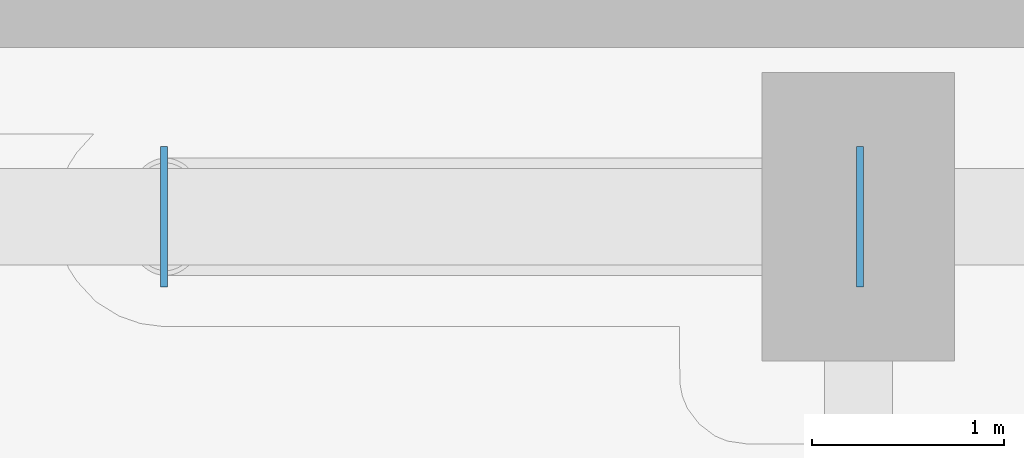
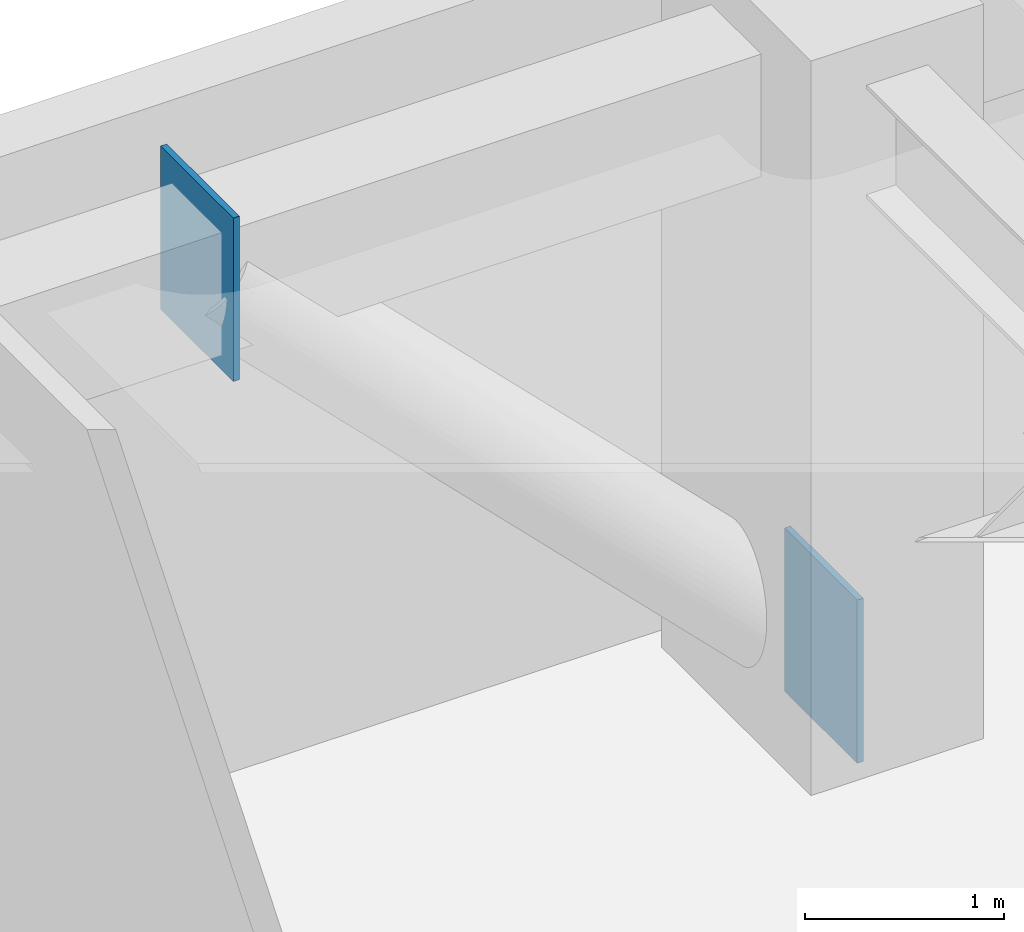
# One storey, part 16 of 25: 2 plates.
"""IFC4 building model written with IfcOpenShell, lengths in metres."""

from ifc_helpers import new_model, si_unit, direction, frame, origin, origin_2d, place, context, subcontext, project, spatial, rectangle, extrude, material, layer, layer_set, type_object, element, save


model = new_model("IFC4")

# Units and contexts
model_context = context("Model", 3, precision=1e-05, world=origin(), true_north=direction((0.0, 1.0)))
body_context = subcontext(model_context, "Body", "Model", "MODEL_VIEW")
ifc_project = project(units=[si_unit("LENGTHUNIT", "METRE"), si_unit("AREAUNIT", "SQUARE_METRE"), si_unit("VOLUMEUNIT", "CUBIC_METRE"), si_unit("PLANEANGLEUNIT", "RADIAN"), si_unit("MASSUNIT", "GRAM", prefix="KILO")], contexts=[model_context])

# Site, building, storey
site_placement = place(None, origin())
site = spatial("IfcSite", under=ifc_project, at=site_placement, CompositionType="ELEMENT")
building_placement = place(site_placement, origin())
building = spatial("IfcBuilding", under=site, at=building_placement, Name="Kiyonajd Concourse Tower", CompositionType="ELEMENT")
storey_placement = place(building_placement, frame((0.0, 0.0, 68.39990234375)))
storey = spatial("IfcBuildingStorey", under=building, at=storey_placement, Name="L18", CompositionType="ELEMENT", Elevation=68.39990234375)

# Plates
ifc_material = material(Name="Steel ASTM A572 Grade 50", Category="steel")
ifc_layer = layer(ifc_material, 0.028076171875)
ifc_layer_set = layer_set([ifc_layer], Name="Steel ASTM A572 Grade 50")
plate_type = type_object("IfcPlateType", Name="PL-CAP-450", PredefinedType="USERDEFINED", material=ifc_layer_set)
for number, where, z_axis, x_axis, name in (
    (1, (63.60791015625, 61.199951171875, -0.208251953125), (0.0, 0.0, 1.0), (1.0, 0.0, 0.0), "L18 Hollow Brace End Cap Plate PBN"),
    (2, (59.9921875, 61.199951171875, 3.3974609375), (0.0, 0.0, 1.0), (-1.0, 0.0, 0.0), "L18 Hollow Brace Top Cap Plate PBN"),
):
    element("IfcPlate", number, at=place(storey_placement, frame(where, z_axis=z_axis, x_axis=x_axis)), inside=storey, type_object=plate_type, Name=name, ObjectType="CAP PLATE", PredefinedType="USERDEFINED", context=body_context, shape_type="SweptSolid", body=[
        extrude(rectangle(XDim=0.035888671875, YDim=0.72998046875, at=origin_2d()), origin(), (0.0, 0.0, 1.0), 1.0009765625),
    ])

save(model, "model.ifc")
